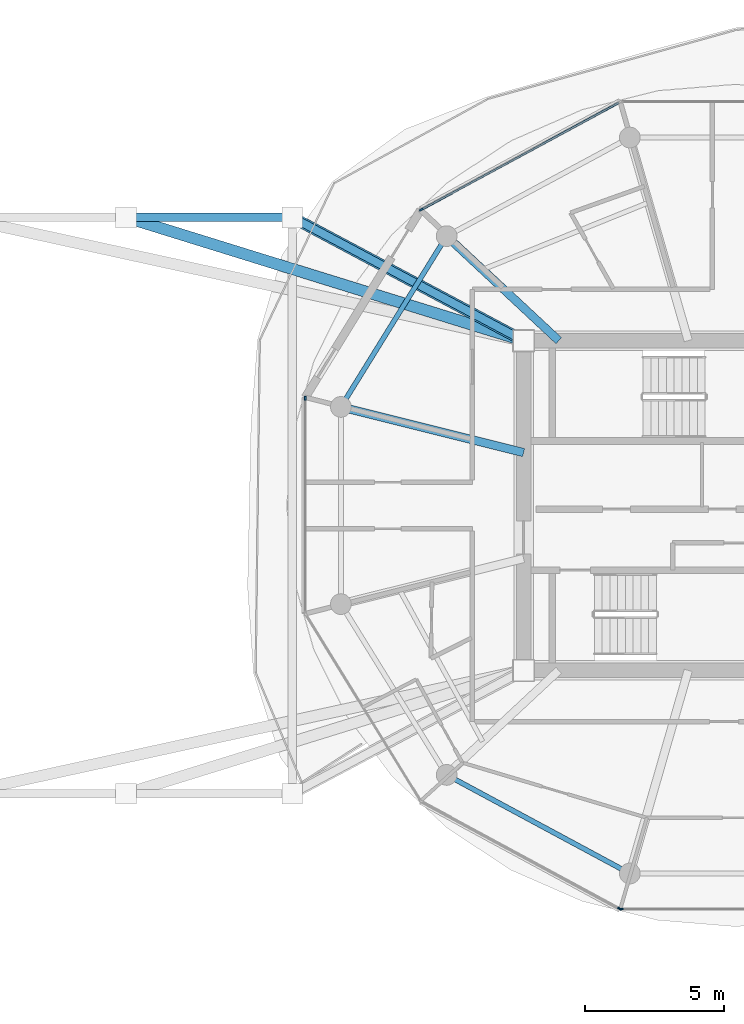
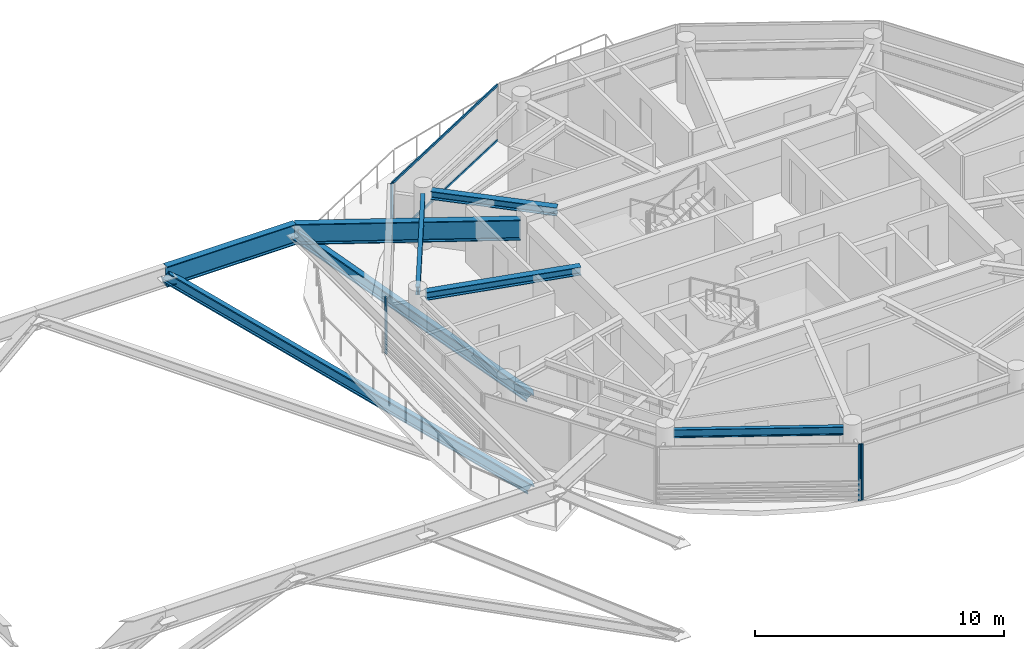
# One storey, part 9 of 23: 8 members, 6 beams, 4 elements without a shape of their own.
"""IFC4 building model written with IfcOpenShell, lengths in metres."""

from ifc_helpers import new_model, si_unit, direction, frame, origin, origin_2d, place, context, subcontext, project, spatial, rectangle, i_section, extrude, source, transform, mapped, material, layer, layer_set, material_profile, profile_set, type_object, type_shapes, element, aggregate, save


model = new_model("IFC4")

# Units and contexts
model_context = context("Model", 3, precision=1e-05, world=origin(), true_north=direction((0.0, 1.0)))
body_context = subcontext(model_context, "Body", "Model", "MODEL_VIEW")
ifc_project = project(units=[si_unit("LENGTHUNIT", "METRE"), si_unit("AREAUNIT", "SQUARE_METRE"), si_unit("VOLUMEUNIT", "CUBIC_METRE"), si_unit("PLANEANGLEUNIT", "RADIAN"), si_unit("MASSUNIT", "GRAM", prefix="KILO")], contexts=[model_context])

# Site, building, storey
site_placement = place(None, origin())
site = spatial("IfcSite", under=ifc_project, at=site_placement, CompositionType="ELEMENT")
building_placement = place(site_placement, origin())
building = spatial("IfcBuilding", under=site, at=building_placement, Name="Norrkilde Senior Care Towers", CompositionType="ELEMENT")
storey_placement = place(building_placement, frame((0.0, 0.0, 196.75)))
storey = spatial("IfcBuildingStorey", under=building, at=storey_placement, Name="L61", CompositionType="ELEMENT", Elevation=196.75)

# Beams
ifc_material_1 = material(Name="Steel S355", Category="steel")
ifc_material_profile_1 = material_profile(ifc_material_1, i_section(OverallWidth=0.179931640625, OverallDepth=0.39990234375, WebThickness=0.008544921875, FlangeThickness=0.013427734375, FilletRadius=0.02099609375, at=origin_2d()), Name="IPE 400")
ifc_profile_set_1 = profile_set([ifc_material_profile_1], Name="Steel S355")
beam_type_1 = type_object("IfcBeamType", Name="Perimeter Ring Spandrel Z4 IPE400", PredefinedType="SPANDREL", material=ifc_profile_set_1)
shared_shape_1 = source(origin(), body_context, "Body", "SweptSolid", [
    extrude(i_section(OverallWidth=0.179931640625, OverallDepth=0.39990234375, WebThickness=0.008544921875, FlangeThickness=0.013427734375, FilletRadius=0.02099609375, at=origin_2d()), origin(), (0.0, 0.0, 1.0), 6.58056640625),
])
beam_1_placement = place(storey_placement, frame((17.393798828125, 9.43798828125, 2.56005859375), z_axis=(-0.526529583789, -0.850156807533, 0.0), x_axis=(0.850156807533, -0.526529583789, 0.0)))
element("IfcBeam", 1, at=beam_1_placement, inside=storey, type_object=beam_type_1, Name="L61 Drum E Perimeter Spandrel 05", PredefinedType="SPANDREL", context=body_context, shape_type="MappedRepresentation", body=[
    mapped(shared_shape_1, transform((0.0, 0.0, 0.0), x_axis=(1.0, 0.0, 0.0), y_axis=(0.0, 1.0, 0.0), z_axis=(0.0, 0.0, 1.0), scale=1.0)),
])
ifc_material_profile_2 = material_profile(ifc_material_1, i_section(OverallWidth=0.300048828125, OverallDepth=0.39990234375, WebThickness=0.013427734375, FlangeThickness=0.02392578125, FilletRadius=0.027099609375, at=origin_2d()), Name="HEB 400")
ifc_profile_set_2 = profile_set([ifc_material_profile_2], Name="Steel S355")
beam_type_2 = type_object("IfcBeamType", Name="Radial Floor Beam Z4 HEB400", PredefinedType="BEAM", material=ifc_profile_set_2)
shared_shape_2 = source(origin(), body_context, "Body", "SweptSolid", [
    extrude(i_section(OverallWidth=0.300048828125, OverallDepth=0.39990234375, WebThickness=0.013427734375, FlangeThickness=0.02392578125, FilletRadius=0.027099609375, at=origin_2d()), origin(), (0.0, 0.0, 1.0), 6.465087890625),
])
beam_2_placement = place(storey_placement, frame((20.35009765625, 1.910888671875, 2.56005859375), z_axis=(-0.970195788563, 0.242322371758, 0.0), x_axis=(-0.242322371758, -0.970195788563, 0.0)))
element("IfcBeam", 2, at=beam_2_placement, inside=storey, type_object=beam_type_2, Name="L61 Drum E Radial Floor Beam 06", PredefinedType="BEAM", context=body_context, shape_type="MappedRepresentation", body=[
    mapped(shared_shape_2, transform((0.0, 0.0, 0.0), x_axis=(1.0, 0.0, 0.0), y_axis=(0.0, 1.0, 0.0), z_axis=(0.0, 0.0, 1.0), scale=1.0)),
])
shared_shape_3 = source(origin(), body_context, "Body", "SweptSolid", [
    extrude(i_section(OverallWidth=0.179931640625, OverallDepth=0.39990234375, WebThickness=0.008544921875, FlangeThickness=0.013427734375, FilletRadius=0.02099609375, at=origin_2d()), origin(), (0.0, 0.0, 1.0), 6.839111328125),
])
type_shapes(beam_type_1, [shared_shape_1, shared_shape_3])
beam_3_placement = place(storey_placement, frame((17.865234375, -9.881591796875, 2.56005859375), z_axis=(0.880563930732, -0.473927382511, 0.0), x_axis=(0.473927382511, 0.880563930732, 0.0)))
element("IfcBeam", 3, at=beam_3_placement, inside=storey, type_object=beam_type_1, Name="L61 Drum E Perimeter Spandrel 08", PredefinedType="SPANDREL", context=body_context, shape_type="MappedRepresentation", body=[
    mapped(shared_shape_3, transform((0.0, 0.0, 0.0), x_axis=(1.0, 0.0, 0.0), y_axis=(0.0, 1.0, 0.0), z_axis=(0.0, 0.0, 1.0), scale=1.0)),
])
shared_shape_4 = source(origin(), body_context, "Body", "SweptSolid", [
    extrude(i_section(OverallWidth=0.300048828125, OverallDepth=0.39990234375, WebThickness=0.013427734375, FlangeThickness=0.02392578125, FilletRadius=0.027099609375, at=origin_2d()), origin(), (0.0, 0.0, 1.0), 5.197998046875),
])
type_shapes(beam_type_2, [shared_shape_2, shared_shape_4])
beam_4_placement = place(storey_placement, frame((21.6171875, 5.949951171875, 2.56005859375), z_axis=(-0.731448749334, 0.681896419625, 0.0), x_axis=(-0.681896419625, -0.731448749334, 0.0)))
element("IfcBeam", 4, at=beam_4_placement, inside=storey, type_object=beam_type_2, Name="L61 Drum E Radial Floor Beam 05", PredefinedType="BEAM", context=body_context, shape_type="MappedRepresentation", body=[
    mapped(shared_shape_4, transform((0.0, 0.0, 0.0), x_axis=(1.0, 0.0, 0.0), y_axis=(0.0, 1.0, 0.0), z_axis=(0.0, 0.0, 1.0), scale=1.0)),
])
ifc_material_profile_3 = material_profile(ifc_material_1, i_section(OverallWidth=0.300048828125, OverallDepth=1.0, WebThickness=0.01904296875, FlangeThickness=0.035888671875, FilletRadius=0.030029296875, at=origin_2d()), Name="HEB 1000")
ifc_profile_set_3 = profile_set([ifc_material_profile_3], Name="Steel S355")
beam_type_3 = type_object("IfcBeamType", Name="Sky Pool Cantilever Girder HEB1000", PredefinedType="USERDEFINED", material=ifc_profile_set_3)
shared_shape_5 = source(origin(), body_context, "Body", "SweptSolid", [
    extrude(i_section(OverallWidth=0.300048828125, OverallDepth=1.0, WebThickness=0.01904296875, FlangeThickness=0.035888671875, FilletRadius=0.030029296875, at=origin_2d()), origin(), (0.0, 0.0, 1.0), 9.081787109375),
])
beam_5_placement = place(storey_placement, frame((12.0, 10.39990234375, 2.1298828125), z_axis=(0.882500984168, -0.47031054947, 0.0), x_axis=(0.47031054947, 0.882500984168, 0.0)))
element("IfcBeam", 5, at=beam_5_placement, inside=storey, type_object=beam_type_3, Name="L61 Sky-Gate Bridge Transfer Girder N6", ObjectType="GIRDER", PredefinedType="USERDEFINED", context=body_context, shape_type="MappedRepresentation", body=[
    mapped(shared_shape_5, transform((0.0, 0.0, 0.0), x_axis=(1.0, 0.0, 0.0), y_axis=(0.0, 1.0, 0.0), z_axis=(0.0, 0.0, 1.0), scale=1.0)),
])
shared_shape_6 = source(origin(), body_context, "Body", "SweptSolid", [
    extrude(i_section(OverallWidth=0.300048828125, OverallDepth=1.0, WebThickness=0.01904296875, FlangeThickness=0.035888671875, FilletRadius=0.030029296875, at=origin_2d()), origin(), (0.0, 0.0, 1.0), 6.0),
])
type_shapes(beam_type_3, [shared_shape_5, shared_shape_6])
beam_6_placement = place(storey_placement, frame((6.0, 10.39990234375, 2.1298828125), z_axis=(1.0, 0.0, 0.0), x_axis=(0.0, 1.0, 0.0)))
element("IfcBeam", 6, at=beam_6_placement, inside=storey, type_object=beam_type_3, Name="L61 Sky-Gate Bridge Transfer Girder N5", ObjectType="GIRDER", PredefinedType="USERDEFINED", context=body_context, shape_type="MappedRepresentation", body=[
    mapped(shared_shape_6, transform((0.0, 0.0, 0.0), x_axis=(1.0, 0.0, 0.0), y_axis=(0.0, 1.0, 0.0), z_axis=(0.0, 0.0, 1.0), scale=1.0)),
])

# Members
ifc_material_profile_4 = material_profile(ifc_material_1, i_section(OverallWidth=0.412109375, OverallDepth=0.449951171875, WebThickness=0.028076171875, FlangeThickness=0.044921875, FilletRadius=0.014892578125, at=origin_2d()), Name="HD 400x509")
ifc_profile_set_4 = profile_set([ifc_material_profile_4], Name="Steel S355")
member_type_1 = type_object("IfcMemberType", Name="Pratt Bridge Truss Diagonal HD400x509", PredefinedType="BRACE", material=ifc_profile_set_4)
shared_shape_7 = source(origin(), body_context, "Body", "SweptSolid", [
    extrude(i_section(OverallWidth=0.412109375, OverallDepth=0.449951171875, WebThickness=0.028076171875, FlangeThickness=0.044921875, FilletRadius=0.014892578125, at=origin_2d()), origin(), (0.0, 0.0, 1.0), 12.540283203125),
])
member_1_placement = place(storey_placement, frame((20.35009765625, 5.949951171875, -6.10009765625), z_axis=(-0.665861815831, 0.354852444803, 0.656283311258), x_axis=(-0.470305631528, -0.882503605065, 0.0)))
element("IfcMember", 7, at=member_1_placement, inside=storey, type_object=member_type_1, Name="L61 Sky-Gate Portal Arch Strut N-E12", PredefinedType="BRACE", context=body_context, shape_type="MappedRepresentation", body=[
    mapped(shared_shape_7, transform((0.0, 0.0, 0.0), x_axis=(1.0, 0.0, 0.0), y_axis=(0.0, 1.0, 0.0), z_axis=(0.0, 0.0, 1.0), scale=1.0)),
])
shared_shape_8 = source(origin(), body_context, "Body", "SweptSolid", [
    extrude(i_section(OverallWidth=0.412109375, OverallDepth=0.449951171875, WebThickness=0.028076171875, FlangeThickness=0.044921875, FilletRadius=0.014892578125, at=origin_2d()), origin(), (0.0, 0.0, 1.0), 19.692138671875),
])
type_shapes(member_type_1, [shared_shape_7, shared_shape_8])
member_2_placement = place(storey_placement, frame((20.35009765625, 5.949951171875, -10.60009765625), z_axis=(-0.728722672349, 0.225976184098, 0.646450331444), x_axis=(-0.296185052015, -0.955130574824, 0.0)))
element("IfcMember", 8, at=member_2_placement, inside=storey, type_object=member_type_1, Name="L61 Sky-Gate Portal Arch Strut N-E06", PredefinedType="BRACE", context=body_context, shape_type="MappedRepresentation", body=[
    mapped(shared_shape_8, transform((0.0, 0.0, 0.0), x_axis=(1.0, 0.0, 0.0), y_axis=(0.0, 1.0, 0.0), z_axis=(0.0, 0.0, 1.0), scale=1.0)),
])

# Curtain wall, members
ifc_material_2 = material(Name="Triple Low-E Insulated Glazing", Category="glass")
ifc_layer = layer(ifc_material_2, 0.18505859375)
ifc_layer_set = layer_set([ifc_layer], Name="Triple Low-E Insulated Glazing")
curtain_wall_type = type_object("IfcCurtainWallType", Name="CW6 Zone 4 Crown Pavilion Curtain Wall", PredefinedType="NOTDEFINED", material=ifc_layer_set)
curtain_wall_1_placement = place(storey_placement, origin())
curtain_wall_1 = element("IfcCurtainWall", 9, at=curtain_wall_1_placement, inside=storey, type_object=curtain_wall_type, Name="L61 Drum E Curtain Wall 03", PredefinedType="NOTDEFINED")
ifc_material_3 = material(Name="Anodised Aluminium", Category="aluminium")
ifc_material_profile_5 = material_profile(ifc_material_3, rectangle(XDim=0.06005859375, YDim=0.1201171875, at=origin_2d()), Name="ALU TRAN 60x120")
ifc_profile_set_5 = profile_set([ifc_material_profile_5], Name="Anodised Aluminium")
member_type_2 = type_object("IfcMemberType", Name="Curtain Wall Transom Typical 60x120", PredefinedType="USERDEFINED", material=ifc_profile_set_5)
shared_shape_9 = source(origin(), body_context, "Body", "SweptSolid", [
    extrude(rectangle(XDim=0.06005859375, YDim=0.1201171875, at=origin_2d()), origin(), (0.0, 0.0, 1.0), 8.0673828125),
])
type_shapes(member_type_2, [shared_shape_9])
member_3_placement = place(storey_placement, frame((16.686767578125, 10.694091796875, 0.030029296875), z_axis=(0.87937750072, 0.476125205411, 0.0), x_axis=(-0.476125205411, 0.87937750072, 0.0)))
member_3 = element("IfcMember", 10, at=member_3_placement, type_object=member_type_2, Name="CW-6 transom 1.1", ObjectType="TRANSOM", PredefinedType="USERDEFINED", context=body_context, shape_type="MappedRepresentation", body=[
    mapped(shared_shape_9, transform((0.0, 0.0, 0.0), x_axis=(1.0, 0.0, 0.0), y_axis=(0.0, 1.0, 0.0), z_axis=(0.0, 0.0, 1.0), scale=1.0)),
])
member_4_placement = place(storey_placement, frame((16.686767578125, 10.694091796875, 2.72998046875), z_axis=(0.87937750072, 0.476125205411, 0.0), x_axis=(-0.476125205411, 0.87937750072, 0.0)))
member_4 = element("IfcMember", 11, at=member_4_placement, type_object=member_type_2, Name="CW-6 transom 1.2", ObjectType="TRANSOM", PredefinedType="USERDEFINED", context=body_context, shape_type="MappedRepresentation", body=[
    mapped(shared_shape_9, transform((0.0, 0.0, 0.0), x_axis=(1.0, 0.0, 0.0), y_axis=(0.0, 1.0, 0.0), z_axis=(0.0, 0.0, 1.0), scale=1.0)),
])
ifc_material_profile_6 = material_profile(ifc_material_3, rectangle(XDim=0.06494140625, YDim=0.14990234375, at=origin_2d()), Name="ALU MULL 65x150")
ifc_profile_set_6 = profile_set([ifc_material_profile_6], Name="Anodised Aluminium")
member_type_3 = type_object("IfcMemberType", Name="Curtain Wall Mullion Z3-Z4 65x150", PredefinedType="MULLION", material=ifc_profile_set_6)
shared_shape_10 = source(origin(), body_context, "Body", "SweptSolid", [
    extrude(rectangle(XDim=0.06494140625, YDim=0.14990234375, at=origin_2d()), origin(), (0.0, 0.0, 1.0), 2.760009765625),
])
type_shapes(member_type_3, [shared_shape_10])
member_5_placement = place(storey_placement, frame((16.658203125, 10.6787109375, 0.0), z_axis=(0.0, 0.0, 1.0), x_axis=(-0.476132676136, 0.879373455772, 0.0)))
member_5 = element("IfcMember", 12, at=member_5_placement, type_object=member_type_3, Name="CW-6 mullion 1", PredefinedType="MULLION", context=body_context, shape_type="MappedRepresentation", body=[
    mapped(shared_shape_10, transform((0.0, 0.0, 0.0), x_axis=(1.0, 0.0, 0.0), y_axis=(0.0, 1.0, 0.0), z_axis=(0.0, 0.0, 1.0), scale=1.0)),
])
aggregate(curtain_wall_1, [member_5, member_3, member_4])

# Curtain wall, member
curtain_wall_2_placement = place(storey_placement, origin())
curtain_wall_2 = element("IfcCurtainWall", 13, at=curtain_wall_2_placement, inside=storey, type_object=curtain_wall_type, Name="L61 Drum E Curtain Wall 05", PredefinedType="NOTDEFINED")
member_6_placement = place(storey_placement, frame((12.468017578125, 3.87060546875, 0.0), z_axis=(0.0, 0.0, 1.0), x_axis=(-1.0, 0.0, 0.0)))
member_6 = element("IfcMember", 14, at=member_6_placement, type_object=member_type_3, Name="CW-6 mullion 2", PredefinedType="MULLION", context=body_context, shape_type="MappedRepresentation", body=[
    mapped(shared_shape_10, transform((0.0, 0.0, 0.0), x_axis=(1.0, 0.0, 0.0), y_axis=(0.0, 1.0, 0.0), z_axis=(0.0, 0.0, 1.0), scale=1.0)),
])
aggregate(curtain_wall_2, [member_6])

curtain_wall_3_placement = place(storey_placement, origin())
curtain_wall_3 = element("IfcCurtainWall", 15, at=curtain_wall_3_placement, inside=storey, type_object=curtain_wall_type, Name="L61 Drum E Curtain Wall 07", PredefinedType="NOTDEFINED")
member_7_placement = place(storey_placement, frame((23.8095703125, -14.55078125, 0.0), z_axis=(0.0, 0.0, 1.0), x_axis=(-0.476132676136, -0.879373455772, 0.0)))
member_7 = element("IfcMember", 16, at=member_7_placement, type_object=member_type_3, Name="CW-6 mullion 1", PredefinedType="MULLION", context=body_context, shape_type="MappedRepresentation", body=[
    mapped(shared_shape_10, transform((0.0, 0.0, 0.0), x_axis=(1.0, 0.0, 0.0), y_axis=(0.0, 1.0, 0.0), z_axis=(0.0, 0.0, 1.0), scale=1.0)),
])
aggregate(curtain_wall_3, [member_7])

curtain_wall_4_placement = place(storey_placement, origin())
curtain_wall_4 = element("IfcCurtainWall", 17, at=curtain_wall_4_placement, inside=storey, type_object=curtain_wall_type, Name="L61 Drum E Curtain Wall 08", PredefinedType="NOTDEFINED")
member_8_placement = place(storey_placement, frame((23.87060546875, -14.566162109375, 0.0), z_axis=(0.0, 0.0, 1.0), x_axis=(0.0, -1.0, 0.0)))
member_8 = element("IfcMember", 18, at=member_8_placement, type_object=member_type_3, Name="CW-6 mullion 2", PredefinedType="MULLION", context=body_context, shape_type="MappedRepresentation", body=[
    mapped(shared_shape_10, transform((0.0, 0.0, 0.0), x_axis=(1.0, 0.0, 0.0), y_axis=(0.0, 1.0, 0.0), z_axis=(0.0, 0.0, 1.0), scale=1.0)),
])
aggregate(curtain_wall_4, [member_8])

save(model, "model.ifc")
